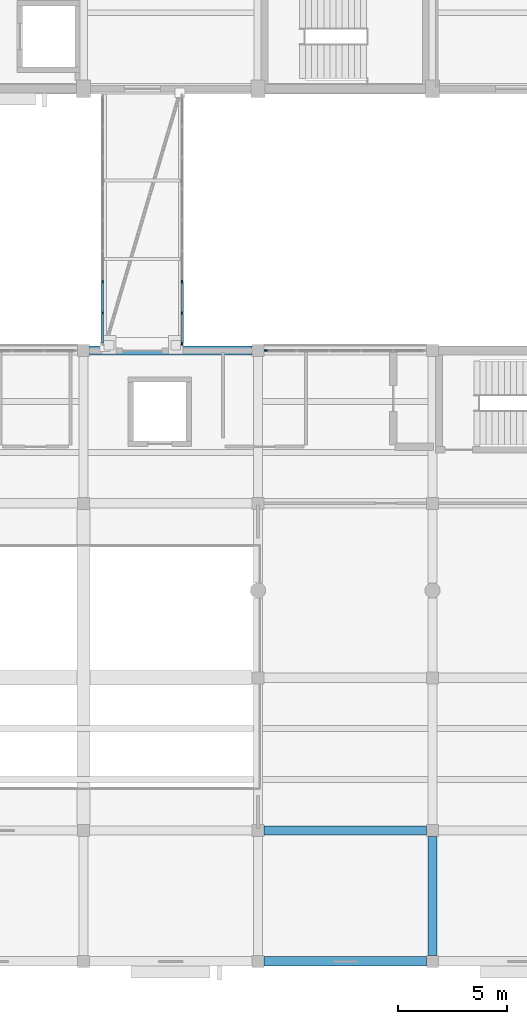
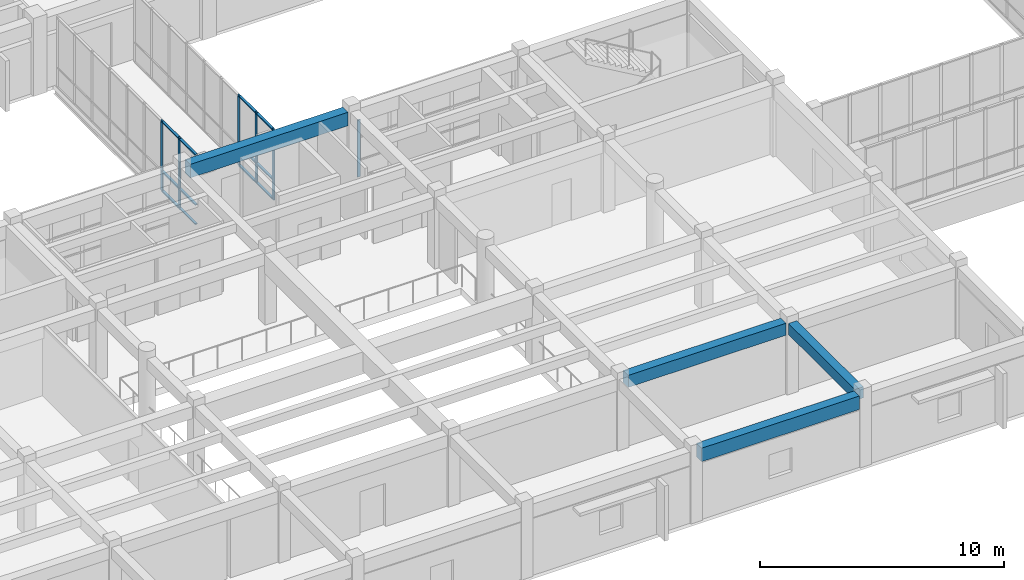
# One storey, part 18 of 66: 18 members, 4 beams, 3 elements without a shape of their own.
"""IFC4 building model written with IfcOpenShell, lengths in metres."""

from ifc_helpers import new_model, si_unit, direction, frame, origin, origin_2d, place, context, subcontext, project, spatial, rectangle, extrude, material, layer, layer_set, material_profile, profile_set, type_object, element, aggregate, save


model = new_model("IFC4")

# Units and contexts
model_context = context("Model", 3, precision=1e-05, world=origin(), true_north=direction((0.0, 1.0)))
body_context = subcontext(model_context, "Body", "Model", "MODEL_VIEW")
ifc_project = project(units=[si_unit("LENGTHUNIT", "METRE"), si_unit("AREAUNIT", "SQUARE_METRE"), si_unit("VOLUMEUNIT", "CUBIC_METRE"), si_unit("PLANEANGLEUNIT", "RADIAN"), si_unit("MASSUNIT", "GRAM", prefix="KILO")], contexts=[model_context])

# Site, building, storey
site_placement = place(None, origin())
site = spatial("IfcSite", under=ifc_project, at=site_placement, CompositionType="ELEMENT")
building_placement = place(site_placement, origin())
building = spatial("IfcBuilding", under=site, at=building_placement, Name="Naurynzar Civic Courthouse", CompositionType="ELEMENT")
storey_placement = place(building_placement, frame((0.0, 0.0, 14.39990234375)))
storey = spatial("IfcBuildingStorey", under=building, at=storey_placement, Name="L04", CompositionType="ELEMENT", Elevation=14.39990234375)

# Beams
ifc_material_1 = material(Name="Concrete C40/50", Category="concrete")
ifc_material_profile_1 = material_profile(ifc_material_1, rectangle(XDim=0.39990234375, YDim=0.550048828125, at=origin_2d()), Name="RCB 400x550")
ifc_profile_set_1 = profile_set([ifc_material_profile_1], Name="Concrete C40/50")
beam_type_1 = type_object("IfcBeamType", Name="BM-RC-400x550", PredefinedType="BEAM", material=ifc_profile_set_1)
beam_1_placement = place(storey_placement, frame((109.0, 4.27490234375, 3.28515625), z_axis=(0.0, 1.0, 0.0), x_axis=(-1.0, 0.0, 0.0)))
element("IfcBeam", 1, at=beam_1_placement, inside=storey, type_object=beam_type_1, Name="V3 girder Y-1541 L04", PredefinedType="BEAM", context=body_context, shape_type="SweptSolid", body=[
    extrude(rectangle(XDim=0.39990234375, YDim=0.550048828125, at=origin_2d()), origin(), (0.0, 0.0, 1.0), 5.4501953125),
])
ifc_material_2 = material(Name="Concrete C40/50", Category="concrete")
ifc_material_profile_2 = material_profile(ifc_material_2, rectangle(XDim=0.425048828125, YDim=0.60009765625, at=origin_2d()), Name="RCB 425x600")
ifc_profile_set_2 = profile_set([ifc_material_profile_2], Name="Concrete C40/50")
beam_type_2 = type_object("IfcBeamType", Name="BM-RC-425x600", PredefinedType="BEAM", material=ifc_profile_set_2)
beam_2_placement = place(storey_placement, frame((101.27490234375, 10.0, 3.260009765625), z_axis=(1.0, 0.0, 0.0), x_axis=(0.0, 1.0, 0.0)))
element("IfcBeam", 2, at=beam_2_placement, inside=storey, type_object=beam_type_2, Name="V3 beam X-1500 L04", PredefinedType="BEAM", context=body_context, shape_type="SweptSolid", body=[
    extrude(rectangle(XDim=0.425048828125, YDim=0.60009765625, at=origin_2d()), origin(), (0.0, 0.0, 1.0), 7.4501953125),
])
ifc_material_3 = material(Name="Concrete C40/50", Category="concrete")
ifc_material_profile_3 = material_profile(ifc_material_3, rectangle(XDim=0.425048828125, YDim=0.675048828125, at=origin_2d()), Name="RCB 425x675")
ifc_profile_set_3 = profile_set([ifc_material_profile_3], Name="Concrete C40/50")
beam_type_3 = type_object("IfcBeamType", Name="BM-RC-425x675", PredefinedType="SPANDREL", material=ifc_profile_set_3)
for number, where, z_axis, x_axis, name in (
    (3, (101.27490234375, 4.0, 3.22265625), (1.0, 0.0, 0.0), (0.0, 1.0, 0.0), "V3 beam X-1494 L04"),
    (4, (93.27490234375, 32.0, 3.22265625), (1.0, 0.0, 0.0), (0.0, 1.0, 0.0), "V3 beam X-1516 L04"),
):
    element("IfcBeam", number, at=place(storey_placement, frame(where, z_axis=z_axis, x_axis=x_axis)), inside=storey, type_object=beam_type_3, Name=name, PredefinedType="SPANDREL", context=body_context, shape_type="SweptSolid", body=[
        extrude(rectangle(XDim=0.425048828125, YDim=0.675048828125, at=origin_2d()), origin(), (0.0, 0.0, 1.0), 7.4501953125),
    ])

# Curtain wall, member
ifc_material_4 = material(Name="Aluminium 6063-T6", Category="aluminium")
ifc_layer_1 = layer(ifc_material_4, 0.179931640625)
ifc_layer_set_1 = layer_set([ifc_layer_1], Name="CW-UNIT-1500")
curtain_wall_type_1 = type_object("IfcCurtainWallType", Name="CW-UNIT-1500", PredefinedType="NOTDEFINED", material=ifc_layer_set_1)
curtain_wall_1_placement = place(storey_placement, origin())
curtain_wall_1 = element("IfcCurtainWall", 5, at=curtain_wall_1_placement, inside=storey, type_object=curtain_wall_type_1, Name="V3 unitised curtain wall 72 L04", PredefinedType="NOTDEFINED")
ifc_material_5 = material(Name="Aluminium 6063-T6", Category="aluminium")
ifc_material_profile_4 = material_profile(ifc_material_5, rectangle(XDim=0.06005859375, YDim=0.14990234375, at=origin_2d()), Name="ALU MULLION 60x150")
ifc_profile_set_4 = profile_set([ifc_material_profile_4], Name="Aluminium 6063-T6")
member_type_1 = type_object("IfcMemberType", Name="CWM-60x150", PredefinedType="MULLION", material=ifc_profile_set_4)
member_1_placement = place(storey_placement, frame((101.35498046875, 32.0, 0.0), z_axis=(0.0, 0.0, 1.0), x_axis=(0.0, 1.0, 0.0)))
member_1 = element("IfcMember", 6, at=member_1_placement, type_object=member_type_1, Name="CW-01 mullion 1", PredefinedType="MULLION", context=body_context, shape_type="SweptSolid", body=[
    extrude(rectangle(XDim=0.06005859375, YDim=0.14990234375, at=origin_2d()), origin(), (0.0, 0.0, 1.0), 2.840087890625),
])
aggregate(curtain_wall_1, [member_1])

# Curtain wall, members
ifc_material_6 = material(Name="Aluminium 6063-T6", Category="aluminium")
ifc_layer_2 = layer(ifc_material_6, 0.14990234375)
ifc_layer_set_2 = layer_set([ifc_layer_2], Name="CW-BRIDGE-1500")
curtain_wall_type_2 = type_object("IfcCurtainWallType", Name="CW-BRIDGE-1500", PredefinedType="USERDEFINED", material=ifc_layer_set_2)
curtain_wall_2_placement = place(storey_placement, origin())
curtain_wall_2 = element("IfcCurtainWall", 7, at=curtain_wall_2_placement, inside=storey, type_object=curtain_wall_type_2, Name="BR-C1 glazed bridge screen L04.1", ObjectType="GLAZED BRIDGE SCREEN", PredefinedType="USERDEFINED")
member_2_placement = place(storey_placement, frame((93.8798828125, 35.14990234375, 0.0), z_axis=(0.0, 0.0, 1.0), x_axis=(1.0, 0.0, 0.0)))
member_2 = element("IfcMember", 8, at=member_2_placement, type_object=member_type_1, Name="CW-03 mullion 7", PredefinedType="MULLION", context=body_context, shape_type="SweptSolid", body=[
    extrude(rectangle(XDim=0.06005859375, YDim=0.14990234375, at=origin_2d()), origin(), (0.0, 0.0, 1.0), 3.52001953125),
])
member_3_placement = place(storey_placement, frame((93.8798828125, 33.72509765625, 0.0), z_axis=(0.0, 0.0, 1.0), x_axis=(1.0, 0.0, 0.0)))
member_3 = element("IfcMember", 9, at=member_3_placement, type_object=member_type_1, Name="CW-03 mullion 8", PredefinedType="MULLION", context=body_context, shape_type="SweptSolid", body=[
    extrude(rectangle(XDim=0.06005859375, YDim=0.14990234375, at=origin_2d()), origin(), (0.0, 0.0, 1.0), 3.52001953125),
])

curtain_wall_3_placement = place(storey_placement, origin())
curtain_wall_3 = element("IfcCurtainWall", 10, at=curtain_wall_3_placement, inside=storey, type_object=curtain_wall_type_2, Name="BR-C1 glazed bridge screen L04.2", ObjectType="GLAZED BRIDGE SCREEN", PredefinedType="USERDEFINED")
member_4_placement = place(storey_placement, frame((97.52001953125, 32.330078125, 0.0), z_axis=(0.0, 0.0, 1.0), x_axis=(-1.0, 0.0, 0.0)))
member_4 = element("IfcMember", 11, at=member_4_placement, type_object=member_type_1, Name="CW-03 mullion 1", PredefinedType="MULLION", context=body_context, shape_type="SweptSolid", body=[
    extrude(rectangle(XDim=0.06005859375, YDim=0.14990234375, at=origin_2d()), origin(), (0.0, 0.0, 1.0), 3.52001953125),
])
member_5_placement = place(storey_placement, frame((97.52001953125, 33.72509765625, 0.0), z_axis=(0.0, 0.0, 1.0), x_axis=(-1.0, 0.0, 0.0)))
member_5 = element("IfcMember", 12, at=member_5_placement, type_object=member_type_1, Name="CW-03 mullion 2", PredefinedType="MULLION", context=body_context, shape_type="SweptSolid", body=[
    extrude(rectangle(XDim=0.06005859375, YDim=0.14990234375, at=origin_2d()), origin(), (0.0, 0.0, 1.0), 3.52001953125),
])
member_6_placement = place(storey_placement, frame((97.52001953125, 35.14990234375, 0.0), z_axis=(0.0, 0.0, 1.0), x_axis=(-1.0, 0.0, 0.0)))
member_6 = element("IfcMember", 13, at=member_6_placement, type_object=member_type_1, Name="CW-03 mullion 3", PredefinedType="MULLION", context=body_context, shape_type="SweptSolid", body=[
    extrude(rectangle(XDim=0.06005859375, YDim=0.14990234375, at=origin_2d()), origin(), (0.0, 0.0, 1.0), 3.52001953125),
])

# Member
ifc_material_7 = material(Name="Aluminium 6063-T6", Category="aluminium")
ifc_material_profile_5 = material_profile(ifc_material_7, rectangle(XDim=0.110107421875, YDim=0.06005859375, at=origin_2d()), Name="ALU TRANSOM 60x110")
ifc_profile_set_5 = profile_set([ifc_material_profile_5], Name="Aluminium 6063-T6")
member_type_2 = type_object("IfcMemberType", Name="CWT-60x110", PredefinedType="USERDEFINED", material=ifc_profile_set_5)
member_7_placement = place(storey_placement, frame((93.8798828125, 35.1201171875, 0.030029296875), z_axis=(0.0, -1.0, 0.0), x_axis=(1.0, 0.0, 0.0)))
member_7 = element("IfcMember", 14, at=member_7_placement, type_object=member_type_2, Name="CW-03 transom 7.1", ObjectType="TRANSOM", PredefinedType="USERDEFINED", context=body_context, shape_type="SweptSolid", body=[
    extrude(rectangle(XDim=0.110107421875, YDim=0.06005859375, at=origin_2d()), origin(), (0.0, 0.0, 1.0), 1.365234375),
])

member_8_placement = place(storey_placement, frame((93.8798828125, 35.1201171875, 1.0), z_axis=(0.0, -1.0, 0.0), x_axis=(1.0, 0.0, 0.0)))
member_8 = element("IfcMember", 15, at=member_8_placement, type_object=member_type_2, Name="CW-03 transom 7.2", ObjectType="TRANSOM", PredefinedType="USERDEFINED", context=body_context, shape_type="SweptSolid", body=[
    extrude(rectangle(XDim=0.110107421875, YDim=0.06005859375, at=origin_2d()), origin(), (0.0, 0.0, 1.0), 1.365234375),
])

member_9_placement = place(storey_placement, frame((93.8798828125, 35.1201171875, 3.489990234375), z_axis=(0.0, -1.0, 0.0), x_axis=(1.0, 0.0, 0.0)))
member_9 = element("IfcMember", 16, at=member_9_placement, type_object=member_type_2, Name="CW-03 transom 7.3", ObjectType="TRANSOM", PredefinedType="USERDEFINED", context=body_context, shape_type="SweptSolid", body=[
    extrude(rectangle(XDim=0.110107421875, YDim=0.06005859375, at=origin_2d()), origin(), (0.0, 0.0, 1.0), 1.365234375),
])

member_10_placement = place(storey_placement, frame((93.8798828125, 33.695068359375, 0.030029296875), z_axis=(0.0, -1.0, 0.0), x_axis=(1.0, 0.0, 0.0)))
member_10 = element("IfcMember", 17, at=member_10_placement, type_object=member_type_2, Name="CW-03 transom 8.1", ObjectType="TRANSOM", PredefinedType="USERDEFINED", context=body_context, shape_type="SweptSolid", body=[
    extrude(rectangle(XDim=0.110107421875, YDim=0.06005859375, at=origin_2d()), origin(), (0.0, 0.0, 1.0), 1.3349609375),
])

member_11_placement = place(storey_placement, frame((93.8798828125, 33.695068359375, 1.0), z_axis=(0.0, -1.0, 0.0), x_axis=(1.0, 0.0, 0.0)))
member_11 = element("IfcMember", 18, at=member_11_placement, type_object=member_type_2, Name="CW-03 transom 8.2", ObjectType="TRANSOM", PredefinedType="USERDEFINED", context=body_context, shape_type="SweptSolid", body=[
    extrude(rectangle(XDim=0.110107421875, YDim=0.06005859375, at=origin_2d()), origin(), (0.0, 0.0, 1.0), 1.3349609375),
])

member_12_placement = place(storey_placement, frame((93.8798828125, 33.695068359375, 3.489990234375), z_axis=(0.0, -1.0, 0.0), x_axis=(1.0, 0.0, 0.0)))
member_12 = element("IfcMember", 19, at=member_12_placement, type_object=member_type_2, Name="CW-03 transom 8.3", ObjectType="TRANSOM", PredefinedType="USERDEFINED", context=body_context, shape_type="SweptSolid", body=[
    extrude(rectangle(XDim=0.110107421875, YDim=0.06005859375, at=origin_2d()), origin(), (0.0, 0.0, 1.0), 1.3349609375),
])

aggregate(curtain_wall_2, [member_2, member_3, member_7, member_8, member_9, member_10, member_11, member_12])

member_13_placement = place(storey_placement, frame((97.52001953125, 32.360107421875, 0.030029296875), z_axis=(0.0, 1.0, 0.0), x_axis=(-1.0, 0.0, 0.0)))
member_13 = element("IfcMember", 20, at=member_13_placement, type_object=member_type_2, Name="CW-03 transom 1.1", ObjectType="TRANSOM", PredefinedType="USERDEFINED", context=body_context, shape_type="SweptSolid", body=[
    extrude(rectangle(XDim=0.110107421875, YDim=0.06005859375, at=origin_2d()), origin(), (0.0, 0.0, 1.0), 1.3349609375),
])

member_14_placement = place(storey_placement, frame((97.52001953125, 32.360107421875, 1.0), z_axis=(0.0, 1.0, 0.0), x_axis=(-1.0, 0.0, 0.0)))
member_14 = element("IfcMember", 21, at=member_14_placement, type_object=member_type_2, Name="CW-03 transom 1.2", ObjectType="TRANSOM", PredefinedType="USERDEFINED", context=body_context, shape_type="SweptSolid", body=[
    extrude(rectangle(XDim=0.110107421875, YDim=0.06005859375, at=origin_2d()), origin(), (0.0, 0.0, 1.0), 1.3349609375),
])

member_15_placement = place(storey_placement, frame((97.52001953125, 32.360107421875, 3.489990234375), z_axis=(0.0, 1.0, 0.0), x_axis=(-1.0, 0.0, 0.0)))
member_15 = element("IfcMember", 22, at=member_15_placement, type_object=member_type_2, Name="CW-03 transom 1.3", ObjectType="TRANSOM", PredefinedType="USERDEFINED", context=body_context, shape_type="SweptSolid", body=[
    extrude(rectangle(XDim=0.110107421875, YDim=0.06005859375, at=origin_2d()), origin(), (0.0, 0.0, 1.0), 1.3349609375),
])

member_16_placement = place(storey_placement, frame((97.52001953125, 33.7548828125, 0.030029296875), z_axis=(0.0, 1.0, 0.0), x_axis=(-1.0, 0.0, 0.0)))
member_16 = element("IfcMember", 23, at=member_16_placement, type_object=member_type_2, Name="CW-03 transom 2.1", ObjectType="TRANSOM", PredefinedType="USERDEFINED", context=body_context, shape_type="SweptSolid", body=[
    extrude(rectangle(XDim=0.110107421875, YDim=0.06005859375, at=origin_2d()), origin(), (0.0, 0.0, 1.0), 1.365234375),
])

member_17_placement = place(storey_placement, frame((97.52001953125, 33.7548828125, 1.0), z_axis=(0.0, 1.0, 0.0), x_axis=(-1.0, 0.0, 0.0)))
member_17 = element("IfcMember", 24, at=member_17_placement, type_object=member_type_2, Name="CW-03 transom 2.2", ObjectType="TRANSOM", PredefinedType="USERDEFINED", context=body_context, shape_type="SweptSolid", body=[
    extrude(rectangle(XDim=0.110107421875, YDim=0.06005859375, at=origin_2d()), origin(), (0.0, 0.0, 1.0), 1.365234375),
])

member_18_placement = place(storey_placement, frame((97.52001953125, 33.7548828125, 3.489990234375), z_axis=(0.0, 1.0, 0.0), x_axis=(-1.0, 0.0, 0.0)))
member_18 = element("IfcMember", 25, at=member_18_placement, type_object=member_type_2, Name="CW-03 transom 2.3", ObjectType="TRANSOM", PredefinedType="USERDEFINED", context=body_context, shape_type="SweptSolid", body=[
    extrude(rectangle(XDim=0.110107421875, YDim=0.06005859375, at=origin_2d()), origin(), (0.0, 0.0, 1.0), 1.365234375),
])

aggregate(curtain_wall_3, [member_4, member_5, member_6, member_13, member_14, member_15, member_16, member_17, member_18])

save(model, "model.ifc")
